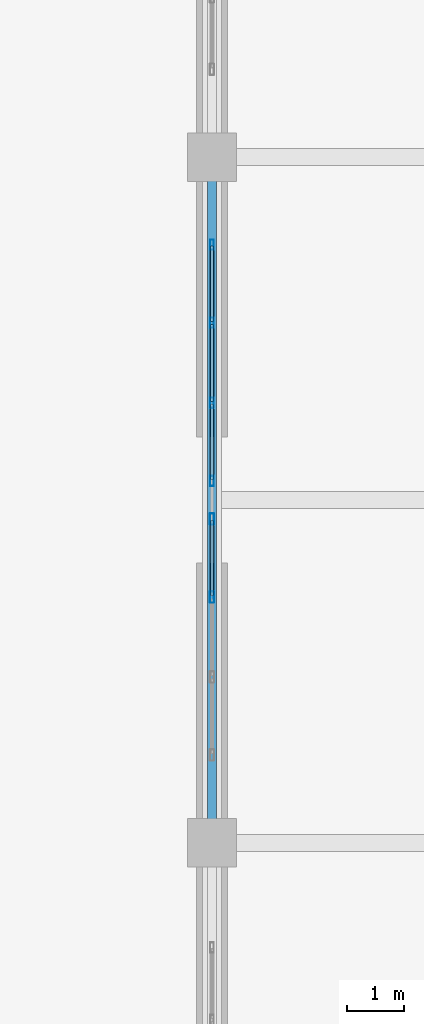
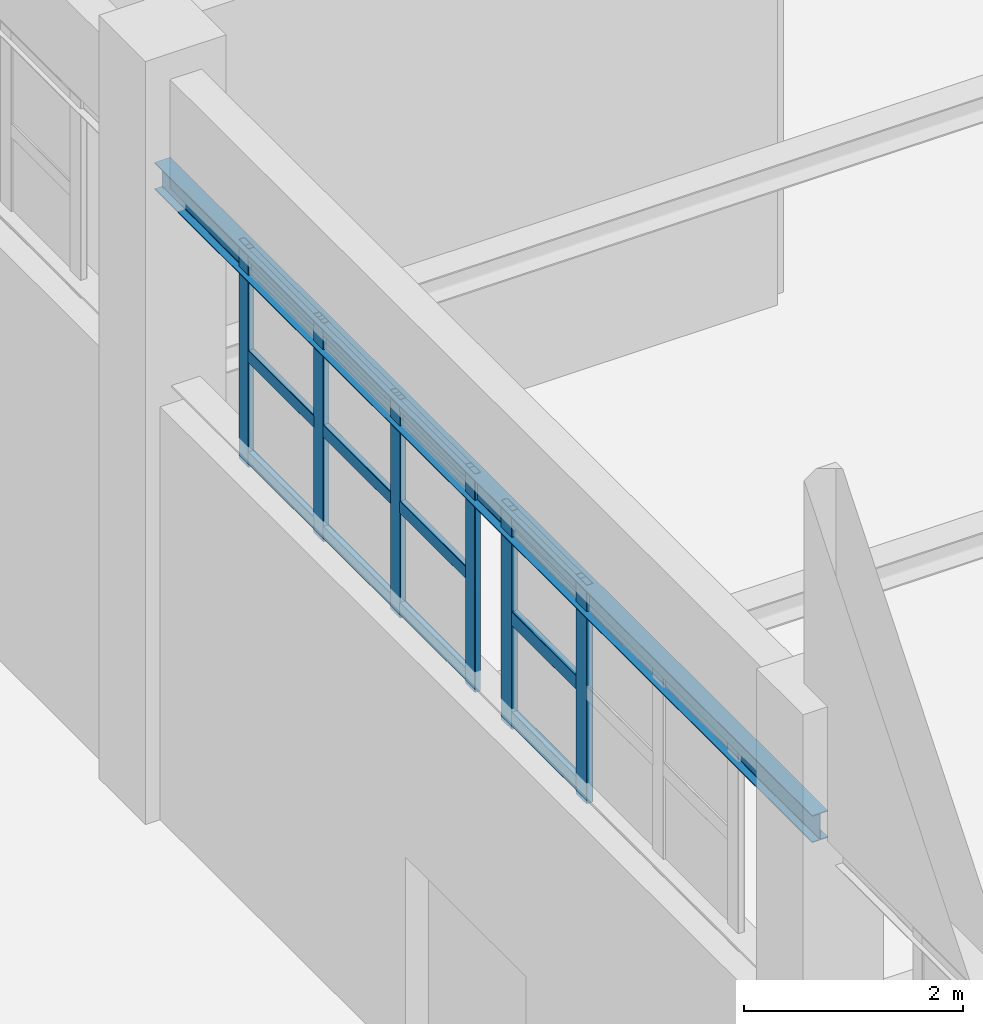
# One storey, part 47 of 97: 18 members, 1 beam, 2 elements without a shape of their own.
"""IFC4 building model written with IfcOpenShell, lengths in metres."""

from ifc_helpers import new_model, si_unit, derived_unit, direction, frame, origin, origin_2d, place, context, subcontext, project, spatial, hollow_rectangle, i_section, extrude, material, layer, layer_set, material_profile, profile_set, type_object, element, aggregate, save


model = new_model("IFC4")

# Units and contexts
model_context = context("Model", 3, precision=1e-05, world=origin(), true_north=direction((0.0, 1.0)))
body_context = subcontext(model_context, "Body", "Model", "MODEL_VIEW")
ifc_project = project(units=[si_unit("LENGTHUNIT", "METRE"), si_unit("AREAUNIT", "SQUARE_METRE"), si_unit("VOLUMEUNIT", "CUBIC_METRE"), si_unit("PLANEANGLEUNIT", "RADIAN"), si_unit("MASSUNIT", "GRAM", prefix="KILO"), derived_unit("THERMALTRANSMITTANCEUNIT", [(si_unit("POWERUNIT", "WATT"), 1), (si_unit("LENGTHUNIT", "METRE"), -2), (si_unit("THERMODYNAMICTEMPERATUREUNIT", "KELVIN"), -1)])], contexts=[model_context])

# Site, building, storey
site_placement = place(None, origin())
site = spatial("IfcSite", under=ifc_project, at=site_placement, CompositionType="ELEMENT")
building_placement = place(site_placement, origin())
building = spatial("IfcBuilding", under=site, at=building_placement, Name="Almenara Railside Exhibition Hall", CompositionType="ELEMENT")
storey_placement = place(building_placement, frame((0.0, 0.0, 10.800048828125)))
storey = spatial("IfcBuildingStorey", under=building, at=storey_placement, Name="L02", CompositionType="ELEMENT", Elevation=10.800048828125)

# Curtain wall, members
ifc_material_1 = material(Name="Bronze-anodised aluminium and low-E double glazing", Category="aluminium")
ifc_layer = layer(ifc_material_1, 0.179931640625, Name="Bronze-anodised aluminium and low-E double glazing")
ifc_layer_set = layer_set([ifc_layer], Name="Bronze-anodised aluminium and low-E double glazing")
curtain_wall_type = type_object("IfcCurtainWallType", Name="West Hall Clerestory Curtain Wall 4200x2400", PredefinedType="NOTDEFINED", material=ifc_layer_set)
curtain_wall_1_placement = place(storey_placement, origin())
curtain_wall_1 = element("IfcCurtainWall", 1, at=curtain_wall_1_placement, inside=storey, type_object=curtain_wall_type, Name="Curtain wall CW-CL1-008", PredefinedType="NOTDEFINED")
ifc_material_2 = material(Name="Bronze-anodised aluminium", Category="aluminium")
ifc_material_profile_1 = material_profile(ifc_material_2, hollow_rectangle(XDim=0.06494140625, YDim=0.179931640625, WallThickness=0.00390625, InnerFilletRadius=0.00390625, OuterFilletRadius=0.008056640625, at=origin_2d()), Name="ALU-MUL 65x180x4")
ifc_profile_set_1 = profile_set([ifc_material_profile_1], Name="Bronze-anodised aluminium")
member_type_1 = type_object("IfcMemberType", Name="Curtain Wall Mullion 65x180x4", PredefinedType="MULLION", material=ifc_profile_set_1)
member_1_placement = place(storey_placement, frame((66.0, 66.33251953125, 4.56494140625), z_axis=(0.0, 0.0, 1.0), x_axis=(-1.0, 0.0, 0.0)))
member_1 = element("IfcMember", 2, at=member_1_placement, type_object=member_type_1, Name="CW-CL1-008 mullion 1", PredefinedType="MULLION", context=body_context, shape_type="SweptSolid", body=[
    extrude(hollow_rectangle(XDim=0.06494140625, YDim=0.179931640625, WallThickness=0.00390625, InnerFilletRadius=0.00390625, OuterFilletRadius=0.008056640625, at=origin_2d()), origin(), (0.0, 0.0, 1.0), 2.43505859375),
])
member_2_placement = place(storey_placement, frame((66.0, 67.699951171875, 4.56494140625), z_axis=(0.0, 0.0, 1.0), x_axis=(-1.0, 0.0, 0.0)))
member_2 = element("IfcMember", 3, at=member_2_placement, type_object=member_type_1, Name="CW-CL1-008 mullion 2", PredefinedType="MULLION", context=body_context, shape_type="SweptSolid", body=[
    extrude(hollow_rectangle(XDim=0.06494140625, YDim=0.179931640625, WallThickness=0.00390625, InnerFilletRadius=0.00390625, OuterFilletRadius=0.008056640625, at=origin_2d()), origin(), (0.0, 0.0, 1.0), 2.43505859375),
])
member_3_placement = place(storey_placement, frame((66.0, 69.10009765625, 4.56494140625), z_axis=(0.0, 0.0, 1.0), x_axis=(-1.0, 0.0, 0.0)))
member_3 = element("IfcMember", 4, at=member_3_placement, type_object=member_type_1, Name="CW-CL1-008 mullion 3", PredefinedType="MULLION", context=body_context, shape_type="SweptSolid", body=[
    extrude(hollow_rectangle(XDim=0.06494140625, YDim=0.179931640625, WallThickness=0.00390625, InnerFilletRadius=0.00390625, OuterFilletRadius=0.008056640625, at=origin_2d()), origin(), (0.0, 0.0, 1.0), 2.43505859375),
])
member_4_placement = place(storey_placement, frame((66.0, 70.467529296875, 4.56494140625), z_axis=(0.0, 0.0, 1.0), x_axis=(-1.0, 0.0, 0.0)))
member_4 = element("IfcMember", 5, at=member_4_placement, type_object=member_type_1, Name="CW-CL1-008 mullion 4", PredefinedType="MULLION", context=body_context, shape_type="SweptSolid", body=[
    extrude(hollow_rectangle(XDim=0.06494140625, YDim=0.179931640625, WallThickness=0.00390625, InnerFilletRadius=0.00390625, OuterFilletRadius=0.008056640625, at=origin_2d()), origin(), (0.0, 0.0, 1.0), 2.43505859375),
])

curtain_wall_2_placement = place(storey_placement, origin())
curtain_wall_2 = element("IfcCurtainWall", 6, at=curtain_wall_2_placement, inside=storey, type_object=curtain_wall_type, Name="Curtain wall CW-CL1-007", PredefinedType="NOTDEFINED")
ifc_material_profile_2 = material_profile(ifc_material_2, hollow_rectangle(XDim=0.070068359375, YDim=0.199951171875, WallThickness=0.00439453125, InnerFilletRadius=0.00439453125, OuterFilletRadius=0.009033203125, at=origin_2d()), Name="ALU-MUL 70x200x4.5")
ifc_profile_set_2 = profile_set([ifc_material_profile_2], Name="Bronze-anodised aluminium")
member_type_2 = type_object("IfcMemberType", Name="Curtain Wall Mullion 70x200x4.5", PredefinedType="MULLION", material=ifc_profile_set_2)
member_5_placement = place(storey_placement, frame((66.0, 64.300048828125, 4.56494140625), z_axis=(0.0, 0.0, 1.0), x_axis=(-1.0, 0.0, 0.0)))
member_5 = element("IfcMember", 7, at=member_5_placement, type_object=member_type_2, Name="CW-CL1-007 mullion 3", PredefinedType="MULLION", context=body_context, shape_type="SweptSolid", body=[
    extrude(hollow_rectangle(XDim=0.070068359375, YDim=0.199951171875, WallThickness=0.00439453125, InnerFilletRadius=0.00439453125, OuterFilletRadius=0.009033203125, at=origin_2d()), origin(), (0.0, 0.0, 1.0), 2.43505859375),
])
member_6_placement = place(storey_placement, frame((66.0, 65.6650390625, 4.56494140625), z_axis=(0.0, 0.0, 1.0), x_axis=(-1.0, 0.0, 0.0)))
member_6 = element("IfcMember", 8, at=member_6_placement, type_object=member_type_2, Name="CW-CL1-007 mullion 4", PredefinedType="MULLION", context=body_context, shape_type="SweptSolid", body=[
    extrude(hollow_rectangle(XDim=0.070068359375, YDim=0.199951171875, WallThickness=0.00439453125, InnerFilletRadius=0.00439453125, OuterFilletRadius=0.009033203125, at=origin_2d()), origin(), (0.0, 0.0, 1.0), 2.43505859375),
])

# Member
ifc_material_profile_3 = material_profile(ifc_material_2, hollow_rectangle(XDim=0.06494140625, YDim=0.139892578125, WallThickness=0.00341796875, InnerFilletRadius=0.00341796875, OuterFilletRadius=0.007080078125, at=origin_2d()), Name="ALU-TRN 65x140x3.5")
ifc_profile_set_3 = profile_set([ifc_material_profile_3], Name="Bronze-anodised aluminium")
member_type_3 = type_object("IfcMemberType", Name="Curtain Wall Transom 65x140x3.5", PredefinedType="USERDEFINED", material=ifc_profile_set_3)
member_7_placement = place(storey_placement, frame((66.0, 66.35693359375, 4.669921875), z_axis=(0.0, 1.0, 0.0), x_axis=(-1.0, 0.0, 0.0)))
member_7 = element("IfcMember", 9, at=member_7_placement, type_object=member_type_3, Name="CW-CL1-008 transom 1.1", ObjectType="TRANSOM", PredefinedType="USERDEFINED", context=body_context, shape_type="SweptSolid", body=[
    extrude(hollow_rectangle(XDim=0.06494140625, YDim=0.139892578125, WallThickness=0.00341796875, InnerFilletRadius=0.00341796875, OuterFilletRadius=0.007080078125, at=origin_2d()), origin(), (0.0, 0.0, 1.0), 1.318603515625),
])

member_8_placement = place(storey_placement, frame((66.0, 66.35693359375, 5.800048828125), z_axis=(0.0, 1.0, 0.0), x_axis=(-1.0, 0.0, 0.0)))
member_8 = element("IfcMember", 10, at=member_8_placement, type_object=member_type_3, Name="CW-CL1-008 transom 1.2", ObjectType="TRANSOM", PredefinedType="USERDEFINED", context=body_context, shape_type="SweptSolid", body=[
    extrude(hollow_rectangle(XDim=0.06494140625, YDim=0.139892578125, WallThickness=0.00341796875, InnerFilletRadius=0.00341796875, OuterFilletRadius=0.007080078125, at=origin_2d()), origin(), (0.0, 0.0, 1.0), 1.318603515625),
])

member_9_placement = place(storey_placement, frame((66.0, 66.35693359375, 6.929931640625), z_axis=(0.0, 1.0, 0.0), x_axis=(-1.0, 0.0, 0.0)))
member_9 = element("IfcMember", 11, at=member_9_placement, type_object=member_type_3, Name="CW-CL1-008 transom 1.3", ObjectType="TRANSOM", PredefinedType="USERDEFINED", context=body_context, shape_type="SweptSolid", body=[
    extrude(hollow_rectangle(XDim=0.06494140625, YDim=0.139892578125, WallThickness=0.00341796875, InnerFilletRadius=0.00341796875, OuterFilletRadius=0.007080078125, at=origin_2d()), origin(), (0.0, 0.0, 1.0), 1.318603515625),
])

member_10_placement = place(storey_placement, frame((66.0, 67.724609375, 4.669921875), z_axis=(0.0, 1.0, 0.0), x_axis=(-1.0, 0.0, 0.0)))
member_10 = element("IfcMember", 12, at=member_10_placement, type_object=member_type_3, Name="CW-CL1-008 transom 2.1", ObjectType="TRANSOM", PredefinedType="USERDEFINED", context=body_context, shape_type="SweptSolid", body=[
    extrude(hollow_rectangle(XDim=0.06494140625, YDim=0.139892578125, WallThickness=0.00341796875, InnerFilletRadius=0.00341796875, OuterFilletRadius=0.007080078125, at=origin_2d()), origin(), (0.0, 0.0, 1.0), 1.350830078125),
])

member_11_placement = place(storey_placement, frame((66.0, 67.724609375, 5.800048828125), z_axis=(0.0, 1.0, 0.0), x_axis=(-1.0, 0.0, 0.0)))
member_11 = element("IfcMember", 13, at=member_11_placement, type_object=member_type_3, Name="CW-CL1-008 transom 2.2", ObjectType="TRANSOM", PredefinedType="USERDEFINED", context=body_context, shape_type="SweptSolid", body=[
    extrude(hollow_rectangle(XDim=0.06494140625, YDim=0.139892578125, WallThickness=0.00341796875, InnerFilletRadius=0.00341796875, OuterFilletRadius=0.007080078125, at=origin_2d()), origin(), (0.0, 0.0, 1.0), 1.350830078125),
])

member_12_placement = place(storey_placement, frame((66.0, 67.724609375, 6.929931640625), z_axis=(0.0, 1.0, 0.0), x_axis=(-1.0, 0.0, 0.0)))
member_12 = element("IfcMember", 14, at=member_12_placement, type_object=member_type_3, Name="CW-CL1-008 transom 2.3", ObjectType="TRANSOM", PredefinedType="USERDEFINED", context=body_context, shape_type="SweptSolid", body=[
    extrude(hollow_rectangle(XDim=0.06494140625, YDim=0.139892578125, WallThickness=0.00341796875, InnerFilletRadius=0.00341796875, OuterFilletRadius=0.007080078125, at=origin_2d()), origin(), (0.0, 0.0, 1.0), 1.350830078125),
])

member_13_placement = place(storey_placement, frame((66.0, 69.12451171875, 4.669921875), z_axis=(0.0, 1.0, 0.0), x_axis=(-1.0, 0.0, 0.0)))
member_13 = element("IfcMember", 15, at=member_13_placement, type_object=member_type_3, Name="CW-CL1-008 transom 3.1", ObjectType="TRANSOM", PredefinedType="USERDEFINED", context=body_context, shape_type="SweptSolid", body=[
    extrude(hollow_rectangle(XDim=0.06494140625, YDim=0.139892578125, WallThickness=0.00341796875, InnerFilletRadius=0.00341796875, OuterFilletRadius=0.007080078125, at=origin_2d()), origin(), (0.0, 0.0, 1.0), 1.318603515625),
])

member_14_placement = place(storey_placement, frame((66.0, 69.12451171875, 5.800048828125), z_axis=(0.0, 1.0, 0.0), x_axis=(-1.0, 0.0, 0.0)))
member_14 = element("IfcMember", 16, at=member_14_placement, type_object=member_type_3, Name="CW-CL1-008 transom 3.2", ObjectType="TRANSOM", PredefinedType="USERDEFINED", context=body_context, shape_type="SweptSolid", body=[
    extrude(hollow_rectangle(XDim=0.06494140625, YDim=0.139892578125, WallThickness=0.00341796875, InnerFilletRadius=0.00341796875, OuterFilletRadius=0.007080078125, at=origin_2d()), origin(), (0.0, 0.0, 1.0), 1.318603515625),
])

member_15_placement = place(storey_placement, frame((66.0, 69.12451171875, 6.929931640625), z_axis=(0.0, 1.0, 0.0), x_axis=(-1.0, 0.0, 0.0)))
member_15 = element("IfcMember", 17, at=member_15_placement, type_object=member_type_3, Name="CW-CL1-008 transom 3.3", ObjectType="TRANSOM", PredefinedType="USERDEFINED", context=body_context, shape_type="SweptSolid", body=[
    extrude(hollow_rectangle(XDim=0.06494140625, YDim=0.139892578125, WallThickness=0.00341796875, InnerFilletRadius=0.00341796875, OuterFilletRadius=0.007080078125, at=origin_2d()), origin(), (0.0, 0.0, 1.0), 1.318603515625),
])

aggregate(curtain_wall_1, [member_1, member_2, member_3, member_4, member_7, member_8, member_9, member_10, member_11, member_12, member_13, member_14, member_15])

ifc_material_profile_4 = material_profile(ifc_material_2, hollow_rectangle(XDim=0.070068359375, YDim=0.159912109375, WallThickness=0.00390625, InnerFilletRadius=0.00390625, OuterFilletRadius=0.008056640625, at=origin_2d()), Name="ALU-TRN 70x160x4")
ifc_profile_set_4 = profile_set([ifc_material_profile_4], Name="Bronze-anodised aluminium")
member_type_4 = type_object("IfcMemberType", Name="Curtain Wall Transom 70x160x4", PredefinedType="USERDEFINED", material=ifc_profile_set_4)
member_16_placement = place(storey_placement, frame((66.0, 64.326904296875, 4.679931640625), z_axis=(0.0, 1.0, 0.0), x_axis=(-1.0, 0.0, 0.0)))
member_16 = element("IfcMember", 18, at=member_16_placement, type_object=member_type_4, Name="CW-CL1-007 transom 3.1", ObjectType="TRANSOM", PredefinedType="USERDEFINED", context=body_context, shape_type="SweptSolid", body=[
    extrude(hollow_rectangle(XDim=0.070068359375, YDim=0.159912109375, WallThickness=0.00390625, InnerFilletRadius=0.00390625, OuterFilletRadius=0.008056640625, at=origin_2d()), origin(), (0.0, 0.0, 1.0), 1.31103515625),
])

member_17_placement = place(storey_placement, frame((66.0, 64.326904296875, 5.800048828125), z_axis=(0.0, 1.0, 0.0), x_axis=(-1.0, 0.0, 0.0)))
member_17 = element("IfcMember", 19, at=member_17_placement, type_object=member_type_4, Name="CW-CL1-007 transom 3.2", ObjectType="TRANSOM", PredefinedType="USERDEFINED", context=body_context, shape_type="SweptSolid", body=[
    extrude(hollow_rectangle(XDim=0.070068359375, YDim=0.159912109375, WallThickness=0.00390625, InnerFilletRadius=0.00390625, OuterFilletRadius=0.008056640625, at=origin_2d()), origin(), (0.0, 0.0, 1.0), 1.31103515625),
])

member_18_placement = place(storey_placement, frame((66.0, 64.326904296875, 6.919921875), z_axis=(0.0, 1.0, 0.0), x_axis=(-1.0, 0.0, 0.0)))
member_18 = element("IfcMember", 20, at=member_18_placement, type_object=member_type_4, Name="CW-CL1-007 transom 3.3", ObjectType="TRANSOM", PredefinedType="USERDEFINED", context=body_context, shape_type="SweptSolid", body=[
    extrude(hollow_rectangle(XDim=0.070068359375, YDim=0.159912109375, WallThickness=0.00390625, InnerFilletRadius=0.00390625, OuterFilletRadius=0.008056640625, at=origin_2d()), origin(), (0.0, 0.0, 1.0), 1.31103515625),
])

aggregate(curtain_wall_2, [member_5, member_6, member_16, member_17, member_18])

# Beam
ifc_material_3 = material(Name="Structural steel S355JR", Category="steel")
ifc_material_profile_5 = material_profile(ifc_material_3, i_section(OverallWidth=0.1650390625, OverallDepth=0.303466796875, WebThickness=0.006103515625, FlangeThickness=0.01025390625, FilletRadius=0.0087890625, at=origin_2d()), Name="UB 305x165x40")
ifc_profile_set_5 = profile_set([ifc_material_profile_5], Name="Structural steel S355JR")
beam_type = type_object("IfcBeamType", Name="Steel Canopy Edge Spandrel UB 305x165x40 S355JR", PredefinedType="SPANDREL", material=ifc_profile_set_5)
beam_placement = place(storey_placement, frame((66.0, 60.0, 6.84814453125), z_axis=(0.0, 1.0, 0.0), x_axis=(-1.0, 0.0, 0.0)))
element("IfcBeam", 21, at=beam_placement, inside=storey, type_object=beam_type, Name="BM-CRNLNT-V1-66-60", PredefinedType="SPANDREL", context=body_context, shape_type="SweptSolid", body=[
    extrude(i_section(OverallWidth=0.1650390625, OverallDepth=0.303466796875, WebThickness=0.006103515625, FlangeThickness=0.01025390625, FilletRadius=0.0087890625, at=origin_2d()), origin(), (0.0, 0.0, 1.0), 12.0),
])

save(model, "model.ifc")
